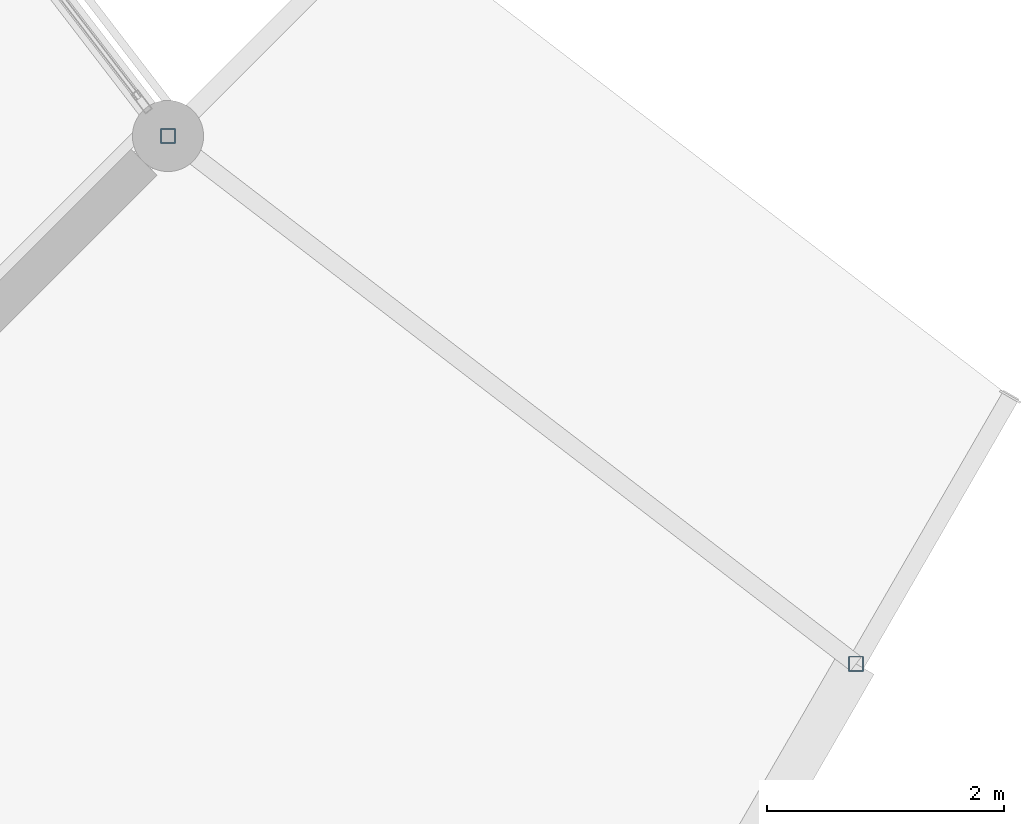
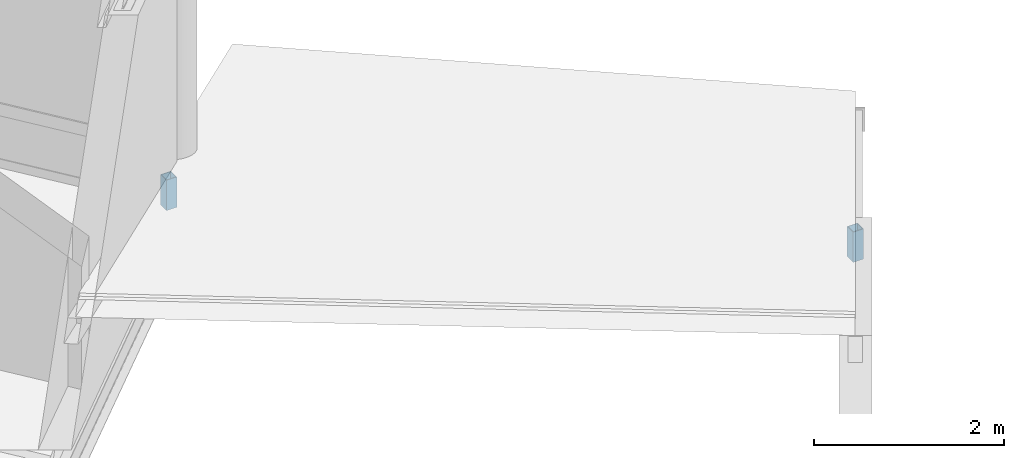
# One storey, part 126 of 200: 2 members.
"""IFC4 building model written with IfcOpenShell, lengths in metres."""

from ifc_helpers import new_model, si_unit, direction, frame, origin, origin_2d, place, context, subcontext, project, spatial, hollow_rectangle, extrude, material, material_profile, profile_set, type_object, element, save


model = new_model("IFC4")

# Units and contexts
model_context = context("Model", 3, precision=1e-05, world=origin(), true_north=direction((0.0, 1.0)))
body_context = subcontext(model_context, "Body", "Model", "MODEL_VIEW")
ifc_project = project(units=[si_unit("LENGTHUNIT", "METRE"), si_unit("AREAUNIT", "SQUARE_METRE"), si_unit("VOLUMEUNIT", "CUBIC_METRE"), si_unit("PLANEANGLEUNIT", "RADIAN"), si_unit("MASSUNIT", "GRAM", prefix="KILO")], contexts=[model_context])

# Site, building, storey
site_placement = place(None, origin())
site = spatial("IfcSite", under=ifc_project, at=site_placement, CompositionType="ELEMENT")
building_placement = place(site_placement, origin())
building = spatial("IfcBuilding", under=site, at=building_placement, Name="Vondelvale Polytechnic", CompositionType="ELEMENT")
storey_placement = place(building_placement, frame((0.0, 0.0, 13.800048828125)))
storey = spatial("IfcBuildingStorey", under=building, at=storey_placement, Name="L03", CompositionType="ELEMENT", Elevation=13.800048828125)

# Members
ifc_material = material(Name="Steel C350L0 (fy = 350 MPa)", Category="steel")
ifc_material_profile = material_profile(ifc_material, hollow_rectangle(XDim=0.125, YDim=0.125, WallThickness=0.006103515625, at=origin_2d()), Name="125x125x6.0SHS")
ifc_profile_set = profile_set([ifc_material_profile], Name="Steel C350L0 (fy = 350 MPa)")
member_type = type_object("IfcMemberType", Name="ROOF TRUSS POST 125SHS", PredefinedType="POST", material=ifc_profile_set)
for number, where, z_axis, x_axis, name in (
    (1, (82.200927734375, 52.200927734375, 0.0), (0.0, 0.0, 1.0), (1.0, 0.0, 0.0), "Ring inner eave post 15"),
    (2, (88.0, 47.751220703125, 0.0), (0.0, 0.0, 1.0), (1.0, 0.0, 0.0), "Ring step inner roof post 15"),
):
    element("IfcMember", number, at=place(storey_placement, frame(where, z_axis=z_axis, x_axis=x_axis)), inside=storey, type_object=member_type, Name=name, PredefinedType="POST", context=body_context, shape_type="SweptSolid", body=[
        extrude(hollow_rectangle(XDim=0.125, YDim=0.125, WallThickness=0.006103515625, at=origin_2d()), origin(), (0.0, 0.0, 1.0), 0.3916015625),
    ])

save(model, "model.ifc")
